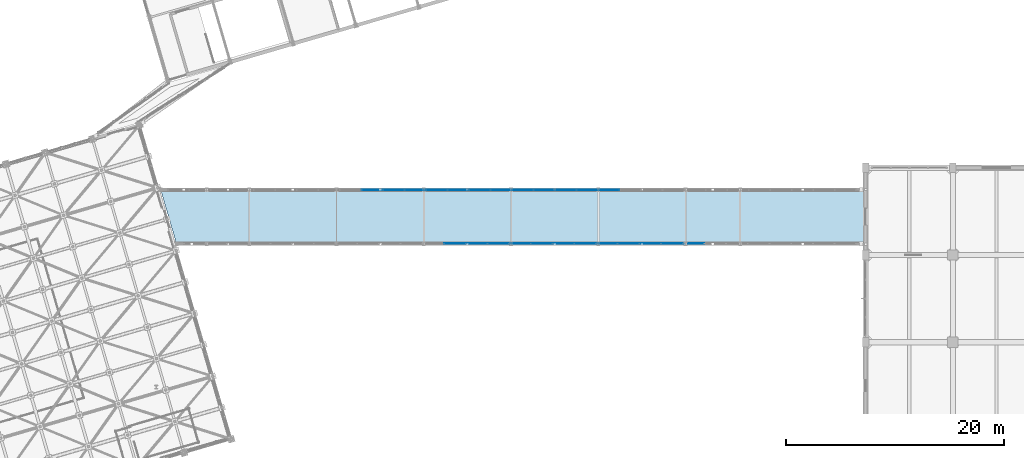
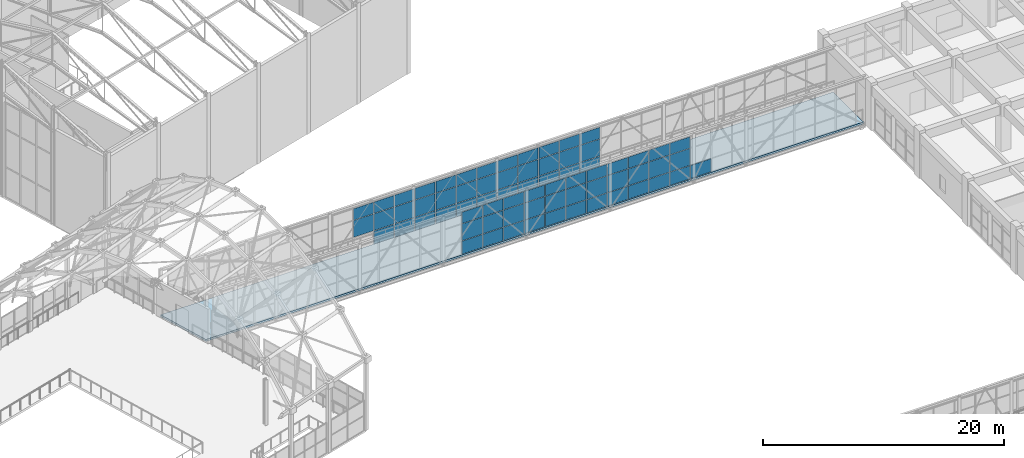
# One storey, part 210 of 248: 69 plates, 1 slab, 2 elements without a shape of their own.
"""IFC4 building model written with IfcOpenShell, lengths in metres."""

from ifc_helpers import new_model, si_unit, direction, frame, origin, origin_2d, place, context, subcontext, project, spatial, polyline, rectangle, outline, extrude, material, layer, layer_set, type_object, element, aggregate, save


model = new_model("IFC4")

# Units and contexts
model_context = context("Model", 3, precision=1e-05, world=origin(), true_north=direction((0.0, 1.0)))
body_context = subcontext(model_context, "Body", "Model", "MODEL_VIEW")
ifc_project = project(units=[si_unit("LENGTHUNIT", "METRE"), si_unit("AREAUNIT", "SQUARE_METRE"), si_unit("VOLUMEUNIT", "CUBIC_METRE"), si_unit("PLANEANGLEUNIT", "RADIAN"), si_unit("MASSUNIT", "GRAM", prefix="KILO")], contexts=[model_context])

# Site, building, storey
site_placement = place(None, origin())
site = spatial("IfcSite", under=ifc_project, at=site_placement, CompositionType="ELEMENT")
building_placement = place(site_placement, origin())
building = spatial("IfcBuilding", under=site, at=building_placement, Name="Canggui Botanical Conservatory", CompositionType="ELEMENT")
storey_placement = place(building_placement, frame((0.0, 0.0, 5.39990234375)))
storey = spatial("IfcBuildingStorey", under=building, at=storey_placement, Name="L02", CompositionType="ELEMENT", Elevation=5.39990234375)

# Curtain wall, plates
ifc_material_1 = material(Name="Thermally Broken Aluminium", Category="aluminium")
ifc_layer_1 = layer(ifc_material_1, 0.1201171875, Name="Thermally Broken Aluminium", Category="aluminium")
ifc_layer_set_1 = layer_set([ifc_layer_1], Name="Thermally Broken Aluminium")
curtain_wall_type = type_object("IfcCurtainWallType", Name="CW-STICK-B", PredefinedType="USERDEFINED", material=ifc_layer_set_1)
curtain_wall_1_placement = place(storey_placement, origin())
curtain_wall_1 = element("IfcCurtainWall", 1, at=curtain_wall_1_placement, inside=storey, type_object=curtain_wall_type, Name="Facade Curtain Wall CW-SB-04-1", ObjectType="STICK GLAZED WALL", PredefinedType="USERDEFINED")
ifc_material_2 = material(Name="Low-E Insulated Glass", Category="glass")
ifc_layer_2 = layer(ifc_material_2, 0.0419921875, Name="Low-E Insulated Glass", Category="glass")
ifc_layer_set_2 = layer_set([ifc_layer_2], Name="Low-E Insulated Glass")
plate_type = type_object("IfcPlateType", Name="CWP-05", PredefinedType="CURTAIN_PANEL", material=ifc_layer_set_2)
plate_1_placement = place(storey_placement, frame((92.346923828125, 75.0400390625, 0.044921875), z_axis=(0.0, 0.0, 1.0), x_axis=(1.0, 0.0, 0.0)))
plate_1 = element("IfcPlate", 2, at=plate_1_placement, type_object=plate_type, Name="CW-05 panel 13.1", PredefinedType="CURTAIN_PANEL", context=body_context, shape_type="SweptSolid", body=[
    extrude(rectangle(XDim=1.934326171875, YDim=0.0419921875, at=origin_2d()), origin(), (0.0, 0.0, 1.0), 1.324462890625),
])
plate_2_placement = place(storey_placement, frame((92.346923828125, 75.0400390625, 1.41455078125), z_axis=(0.0, 0.0, 1.0), x_axis=(1.0, 0.0, 0.0)))
plate_2 = element("IfcPlate", 3, at=plate_2_placement, type_object=plate_type, Name="CW-05 panel 13.2", PredefinedType="CURTAIN_PANEL", context=body_context, shape_type="SweptSolid", body=[
    extrude(rectangle(XDim=1.934326171875, YDim=0.0419921875, at=origin_2d()), origin(), (0.0, 0.0, 1.0), 1.695068359375),
])
plate_3_placement = place(storey_placement, frame((92.346923828125, 75.0400390625, 3.154541015625), z_axis=(0.0, 0.0, 1.0), x_axis=(1.0, 0.0, 0.0)))
plate_3 = element("IfcPlate", 4, at=plate_3_placement, type_object=plate_type, Name="CW-05 panel 13.3", PredefinedType="CURTAIN_PANEL", context=body_context, shape_type="SweptSolid", body=[
    extrude(rectangle(XDim=1.934326171875, YDim=0.0419921875, at=origin_2d()), origin(), (0.0, 0.0, 1.0), 1.150390625),
])
plate_4_placement = place(storey_placement, frame((94.336181640625, 75.0400390625, 0.044921875), z_axis=(0.0, 0.0, 1.0), x_axis=(1.0, 0.0, 0.0)))
plate_4 = element("IfcPlate", 5, at=plate_4_placement, type_object=plate_type, Name="CW-05 panel 14.1", PredefinedType="CURTAIN_PANEL", context=body_context, shape_type="SweptSolid", body=[
    extrude(rectangle(XDim=1.934326171875, YDim=0.0419921875, at=origin_2d()), origin(), (0.0, 0.0, 1.0), 1.324462890625),
])
plate_5_placement = place(storey_placement, frame((94.336181640625, 75.0400390625, 1.41455078125), z_axis=(0.0, 0.0, 1.0), x_axis=(1.0, 0.0, 0.0)))
plate_5 = element("IfcPlate", 6, at=plate_5_placement, type_object=plate_type, Name="CW-05 panel 14.2", PredefinedType="CURTAIN_PANEL", context=body_context, shape_type="SweptSolid", body=[
    extrude(rectangle(XDim=1.934326171875, YDim=0.0419921875, at=origin_2d()), origin(), (0.0, 0.0, 1.0), 1.695068359375),
])
plate_6_placement = place(storey_placement, frame((94.336181640625, 75.0400390625, 3.154541015625), z_axis=(0.0, 0.0, 1.0), x_axis=(1.0, 0.0, 0.0)))
plate_6 = element("IfcPlate", 7, at=plate_6_placement, type_object=plate_type, Name="CW-05 panel 14.3", PredefinedType="CURTAIN_PANEL", context=body_context, shape_type="SweptSolid", body=[
    extrude(rectangle(XDim=1.934326171875, YDim=0.0419921875, at=origin_2d()), origin(), (0.0, 0.0, 1.0), 1.150390625),
])
plate_7_placement = place(storey_placement, frame((96.32568359375, 75.0400390625, 0.044921875), z_axis=(0.0, 0.0, 1.0), x_axis=(1.0, 0.0, 0.0)))
plate_7 = element("IfcPlate", 8, at=plate_7_placement, type_object=plate_type, Name="CW-05 panel 15.1", PredefinedType="CURTAIN_PANEL", context=body_context, shape_type="SweptSolid", body=[
    extrude(rectangle(XDim=1.934326171875, YDim=0.0419921875, at=origin_2d()), origin(), (0.0, 0.0, 1.0), 1.324462890625),
])
plate_8_placement = place(storey_placement, frame((96.32568359375, 75.0400390625, 1.41455078125), z_axis=(0.0, 0.0, 1.0), x_axis=(1.0, 0.0, 0.0)))
plate_8 = element("IfcPlate", 9, at=plate_8_placement, type_object=plate_type, Name="CW-05 panel 15.2", PredefinedType="CURTAIN_PANEL", context=body_context, shape_type="SweptSolid", body=[
    extrude(rectangle(XDim=1.934326171875, YDim=0.0419921875, at=origin_2d()), origin(), (0.0, 0.0, 1.0), 1.695068359375),
])
plate_9_placement = place(storey_placement, frame((96.32568359375, 75.0400390625, 3.154541015625), z_axis=(0.0, 0.0, 1.0), x_axis=(1.0, 0.0, 0.0)))
plate_9 = element("IfcPlate", 10, at=plate_9_placement, type_object=plate_type, Name="CW-05 panel 15.3", PredefinedType="CURTAIN_PANEL", context=body_context, shape_type="SweptSolid", body=[
    extrude(rectangle(XDim=1.934326171875, YDim=0.0419921875, at=origin_2d()), origin(), (0.0, 0.0, 1.0), 1.150390625),
])
plate_10_placement = place(storey_placement, frame((98.31494140625, 75.0400390625, 0.044921875), z_axis=(0.0, 0.0, 1.0), x_axis=(1.0, 0.0, 0.0)))
plate_10 = element("IfcPlate", 11, at=plate_10_placement, type_object=plate_type, Name="CW-05 panel 16.1", PredefinedType="CURTAIN_PANEL", context=body_context, shape_type="SweptSolid", body=[
    extrude(rectangle(XDim=1.934326171875, YDim=0.0419921875, at=origin_2d()), origin(), (0.0, 0.0, 1.0), 1.324462890625),
])
plate_11_placement = place(storey_placement, frame((98.31494140625, 75.0400390625, 1.41455078125), z_axis=(0.0, 0.0, 1.0), x_axis=(1.0, 0.0, 0.0)))
plate_11 = element("IfcPlate", 12, at=plate_11_placement, type_object=plate_type, Name="CW-05 panel 16.2", PredefinedType="CURTAIN_PANEL", context=body_context, shape_type="SweptSolid", body=[
    extrude(rectangle(XDim=1.934326171875, YDim=0.0419921875, at=origin_2d()), origin(), (0.0, 0.0, 1.0), 1.695068359375),
])
plate_12_placement = place(storey_placement, frame((98.31494140625, 75.0400390625, 3.154541015625), z_axis=(0.0, 0.0, 1.0), x_axis=(1.0, 0.0, 0.0)))
plate_12 = element("IfcPlate", 13, at=plate_12_placement, type_object=plate_type, Name="CW-05 panel 16.3", PredefinedType="CURTAIN_PANEL", context=body_context, shape_type="SweptSolid", body=[
    extrude(rectangle(XDim=1.934326171875, YDim=0.0419921875, at=origin_2d()), origin(), (0.0, 0.0, 1.0), 1.150390625),
])
plate_13_placement = place(storey_placement, frame((100.304443359375, 75.0400390625, 0.044921875), z_axis=(0.0, 0.0, 1.0), x_axis=(1.0, 0.0, 0.0)))
plate_13 = element("IfcPlate", 14, at=plate_13_placement, type_object=plate_type, Name="CW-05 panel 17.1", PredefinedType="CURTAIN_PANEL", context=body_context, shape_type="SweptSolid", body=[
    extrude(rectangle(XDim=1.934326171875, YDim=0.0419921875, at=origin_2d()), origin(), (0.0, 0.0, 1.0), 1.324462890625),
])
plate_14_placement = place(storey_placement, frame((100.304443359375, 75.0400390625, 1.41455078125), z_axis=(0.0, 0.0, 1.0), x_axis=(1.0, 0.0, 0.0)))
plate_14 = element("IfcPlate", 15, at=plate_14_placement, type_object=plate_type, Name="CW-05 panel 17.2", PredefinedType="CURTAIN_PANEL", context=body_context, shape_type="SweptSolid", body=[
    extrude(rectangle(XDim=1.934326171875, YDim=0.0419921875, at=origin_2d()), origin(), (0.0, 0.0, 1.0), 1.695068359375),
])
plate_15_placement = place(storey_placement, frame((100.304443359375, 75.0400390625, 3.154541015625), z_axis=(0.0, 0.0, 1.0), x_axis=(1.0, 0.0, 0.0)))
plate_15 = element("IfcPlate", 16, at=plate_15_placement, type_object=plate_type, Name="CW-05 panel 17.3", PredefinedType="CURTAIN_PANEL", context=body_context, shape_type="SweptSolid", body=[
    extrude(rectangle(XDim=1.934326171875, YDim=0.0419921875, at=origin_2d()), origin(), (0.0, 0.0, 1.0), 1.150390625),
])
plate_16_placement = place(storey_placement, frame((102.293701171875, 75.0400390625, 0.044921875), z_axis=(0.0, 0.0, 1.0), x_axis=(1.0, 0.0, 0.0)))
plate_16 = element("IfcPlate", 17, at=plate_16_placement, type_object=plate_type, Name="CW-05 panel 18.1", PredefinedType="CURTAIN_PANEL", context=body_context, shape_type="SweptSolid", body=[
    extrude(rectangle(XDim=1.934326171875, YDim=0.0419921875, at=origin_2d()), origin(), (0.0, 0.0, 1.0), 1.324462890625),
])
plate_17_placement = place(storey_placement, frame((102.293701171875, 75.0400390625, 1.41455078125), z_axis=(0.0, 0.0, 1.0), x_axis=(1.0, 0.0, 0.0)))
plate_17 = element("IfcPlate", 18, at=plate_17_placement, type_object=plate_type, Name="CW-05 panel 18.2", PredefinedType="CURTAIN_PANEL", context=body_context, shape_type="SweptSolid", body=[
    extrude(rectangle(XDim=1.934326171875, YDim=0.0419921875, at=origin_2d()), origin(), (0.0, 0.0, 1.0), 1.695068359375),
])
plate_18_placement = place(storey_placement, frame((102.293701171875, 75.0400390625, 3.154541015625), z_axis=(0.0, 0.0, 1.0), x_axis=(1.0, 0.0, 0.0)))
plate_18 = element("IfcPlate", 19, at=plate_18_placement, type_object=plate_type, Name="CW-05 panel 18.3", PredefinedType="CURTAIN_PANEL", context=body_context, shape_type="SweptSolid", body=[
    extrude(rectangle(XDim=1.934326171875, YDim=0.0419921875, at=origin_2d()), origin(), (0.0, 0.0, 1.0), 1.150390625),
])
plate_19_placement = place(storey_placement, frame((104.282958984375, 75.0400390625, 0.044921875), z_axis=(0.0, 0.0, 1.0), x_axis=(1.0, 0.0, 0.0)))
plate_19 = element("IfcPlate", 20, at=plate_19_placement, type_object=plate_type, Name="CW-05 panel 19.1", PredefinedType="CURTAIN_PANEL", context=body_context, shape_type="SweptSolid", body=[
    extrude(rectangle(XDim=1.934326171875, YDim=0.0419921875, at=origin_2d()), origin(), (0.0, 0.0, 1.0), 1.324462890625),
])
plate_20_placement = place(storey_placement, frame((104.282958984375, 75.0400390625, 1.41455078125), z_axis=(0.0, 0.0, 1.0), x_axis=(1.0, 0.0, 0.0)))
plate_20 = element("IfcPlate", 21, at=plate_20_placement, type_object=plate_type, Name="CW-05 panel 19.2", PredefinedType="CURTAIN_PANEL", context=body_context, shape_type="SweptSolid", body=[
    extrude(rectangle(XDim=1.934326171875, YDim=0.0419921875, at=origin_2d()), origin(), (0.0, 0.0, 1.0), 1.695068359375),
])
plate_21_placement = place(storey_placement, frame((104.282958984375, 75.0400390625, 3.154541015625), z_axis=(0.0, 0.0, 1.0), x_axis=(1.0, 0.0, 0.0)))
plate_21 = element("IfcPlate", 22, at=plate_21_placement, type_object=plate_type, Name="CW-05 panel 19.3", PredefinedType="CURTAIN_PANEL", context=body_context, shape_type="SweptSolid", body=[
    extrude(rectangle(XDim=1.934326171875, YDim=0.0419921875, at=origin_2d()), origin(), (0.0, 0.0, 1.0), 1.150390625),
])
plate_22_placement = place(storey_placement, frame((106.2724609375, 75.0400390625, 0.044921875), z_axis=(0.0, 0.0, 1.0), x_axis=(1.0, 0.0, 0.0)))
plate_22 = element("IfcPlate", 23, at=plate_22_placement, type_object=plate_type, Name="CW-05 panel 20.1", PredefinedType="CURTAIN_PANEL", context=body_context, shape_type="SweptSolid", body=[
    extrude(rectangle(XDim=1.934326171875, YDim=0.0419921875, at=origin_2d()), origin(), (0.0, 0.0, 1.0), 1.324462890625),
])
plate_23_placement = place(storey_placement, frame((106.2724609375, 75.0400390625, 1.41455078125), z_axis=(0.0, 0.0, 1.0), x_axis=(1.0, 0.0, 0.0)))
plate_23 = element("IfcPlate", 24, at=plate_23_placement, type_object=plate_type, Name="CW-05 panel 20.2", PredefinedType="CURTAIN_PANEL", context=body_context, shape_type="SweptSolid", body=[
    extrude(rectangle(XDim=1.934326171875, YDim=0.0419921875, at=origin_2d()), origin(), (0.0, 0.0, 1.0), 1.695068359375),
])
plate_24_placement = place(storey_placement, frame((106.2724609375, 75.0400390625, 3.154541015625), z_axis=(0.0, 0.0, 1.0), x_axis=(1.0, 0.0, 0.0)))
plate_24 = element("IfcPlate", 25, at=plate_24_placement, type_object=plate_type, Name="CW-05 panel 20.3", PredefinedType="CURTAIN_PANEL", context=body_context, shape_type="SweptSolid", body=[
    extrude(rectangle(XDim=1.934326171875, YDim=0.0419921875, at=origin_2d()), origin(), (0.0, 0.0, 1.0), 1.150390625),
])
plate_25_placement = place(storey_placement, frame((108.26171875, 75.0400390625, 0.044921875), z_axis=(0.0, 0.0, 1.0), x_axis=(1.0, 0.0, 0.0)))
plate_25 = element("IfcPlate", 26, at=plate_25_placement, type_object=plate_type, Name="CW-05 panel 21.1", PredefinedType="CURTAIN_PANEL", context=body_context, shape_type="SweptSolid", body=[
    extrude(rectangle(XDim=1.934326171875, YDim=0.0419921875, at=origin_2d()), origin(), (0.0, 0.0, 1.0), 1.324462890625),
])
plate_26_placement = place(storey_placement, frame((108.26171875, 75.0400390625, 1.41455078125), z_axis=(0.0, 0.0, 1.0), x_axis=(1.0, 0.0, 0.0)))
plate_26 = element("IfcPlate", 27, at=plate_26_placement, type_object=plate_type, Name="CW-05 panel 21.2", PredefinedType="CURTAIN_PANEL", context=body_context, shape_type="SweptSolid", body=[
    extrude(rectangle(XDim=1.934326171875, YDim=0.0419921875, at=origin_2d()), origin(), (0.0, 0.0, 1.0), 1.695068359375),
])
plate_27_placement = place(storey_placement, frame((108.26171875, 75.0400390625, 3.154541015625), z_axis=(0.0, 0.0, 1.0), x_axis=(1.0, 0.0, 0.0)))
plate_27 = element("IfcPlate", 28, at=plate_27_placement, type_object=plate_type, Name="CW-05 panel 21.3", PredefinedType="CURTAIN_PANEL", context=body_context, shape_type="SweptSolid", body=[
    extrude(rectangle(XDim=1.934326171875, YDim=0.0419921875, at=origin_2d()), origin(), (0.0, 0.0, 1.0), 1.150390625),
])
plate_28_placement = place(storey_placement, frame((110.251220703125, 75.0400390625, 0.044921875), z_axis=(0.0, 0.0, 1.0), x_axis=(1.0, 0.0, 0.0)))
plate_28 = element("IfcPlate", 29, at=plate_28_placement, type_object=plate_type, Name="CW-05 panel 22.1", PredefinedType="CURTAIN_PANEL", context=body_context, shape_type="SweptSolid", body=[
    extrude(rectangle(XDim=1.934326171875, YDim=0.0419921875, at=origin_2d()), origin(), (0.0, 0.0, 1.0), 1.324462890625),
])
plate_29_placement = place(storey_placement, frame((110.251220703125, 75.0400390625, 1.41455078125), z_axis=(0.0, 0.0, 1.0), x_axis=(1.0, 0.0, 0.0)))
plate_29 = element("IfcPlate", 30, at=plate_29_placement, type_object=plate_type, Name="CW-05 panel 22.2", PredefinedType="CURTAIN_PANEL", context=body_context, shape_type="SweptSolid", body=[
    extrude(rectangle(XDim=1.934326171875, YDim=0.0419921875, at=origin_2d()), origin(), (0.0, 0.0, 1.0), 1.695068359375),
])
plate_30_placement = place(storey_placement, frame((110.251220703125, 75.0400390625, 3.154541015625), z_axis=(0.0, 0.0, 1.0), x_axis=(1.0, 0.0, 0.0)))
plate_30 = element("IfcPlate", 31, at=plate_30_placement, type_object=plate_type, Name="CW-05 panel 22.3", PredefinedType="CURTAIN_PANEL", context=body_context, shape_type="SweptSolid", body=[
    extrude(rectangle(XDim=1.934326171875, YDim=0.0419921875, at=origin_2d()), origin(), (0.0, 0.0, 1.0), 1.150390625),
])
plate_31_placement = place(storey_placement, frame((112.240478515625, 75.0400390625, 0.044921875), z_axis=(0.0, 0.0, 1.0), x_axis=(1.0, 0.0, 0.0)))
plate_31 = element("IfcPlate", 32, at=plate_31_placement, type_object=plate_type, Name="CW-05 panel 23.1", PredefinedType="CURTAIN_PANEL", context=body_context, shape_type="SweptSolid", body=[
    extrude(rectangle(XDim=1.934326171875, YDim=0.0419921875, at=origin_2d()), origin(), (0.0, 0.0, 1.0), 1.324462890625),
])
plate_32_placement = place(storey_placement, frame((112.240478515625, 75.0400390625, 1.41455078125), z_axis=(0.0, 0.0, 1.0), x_axis=(1.0, 0.0, 0.0)))
plate_32 = element("IfcPlate", 33, at=plate_32_placement, type_object=plate_type, Name="CW-05 panel 23.2", PredefinedType="CURTAIN_PANEL", context=body_context, shape_type="SweptSolid", body=[
    extrude(rectangle(XDim=1.934326171875, YDim=0.0419921875, at=origin_2d()), origin(), (0.0, 0.0, 1.0), 1.695068359375),
])
plate_33_placement = place(storey_placement, frame((112.240478515625, 75.0400390625, 3.154541015625), z_axis=(0.0, 0.0, 1.0), x_axis=(1.0, 0.0, 0.0)))
plate_33 = element("IfcPlate", 34, at=plate_33_placement, type_object=plate_type, Name="CW-05 panel 23.3", PredefinedType="CURTAIN_PANEL", context=body_context, shape_type="SweptSolid", body=[
    extrude(rectangle(XDim=1.934326171875, YDim=0.0419921875, at=origin_2d()), origin(), (0.0, 0.0, 1.0), 1.150390625),
])
plate_34_placement = place(storey_placement, frame((114.229736328125, 75.0400390625, 0.044921875), z_axis=(0.0, 0.0, 1.0), x_axis=(1.0, 0.0, 0.0)))
plate_34 = element("IfcPlate", 35, at=plate_34_placement, type_object=plate_type, Name="CW-05 panel 24.1", PredefinedType="CURTAIN_PANEL", context=body_context, shape_type="SweptSolid", body=[
    extrude(rectangle(XDim=1.934326171875, YDim=0.0419921875, at=origin_2d()), origin(), (0.0, 0.0, 1.0), 1.324462890625),
])
aggregate(curtain_wall_1, [plate_1, plate_2, plate_3, plate_4, plate_5, plate_6, plate_7, plate_8, plate_9, plate_10, plate_11, plate_12, plate_13, plate_14, plate_15, plate_16, plate_17, plate_18, plate_19, plate_20, plate_21, plate_22, plate_23, plate_24, plate_25, plate_26, plate_27, plate_28, plate_29, plate_30, plate_31, plate_32, plate_33, plate_34])

curtain_wall_2_placement = place(storey_placement, origin())
curtain_wall_2 = element("IfcCurtainWall", 36, at=curtain_wall_2_placement, inside=storey, type_object=curtain_wall_type, Name="Facade Curtain Wall CW-SB-04-2", ObjectType="STICK GLAZED WALL", PredefinedType="USERDEFINED")
plate_35_placement = place(storey_placement, frame((84.76171875, 79.9599609375, 1.41455078125), z_axis=(0.0, 0.0, 1.0), x_axis=(1.0, 0.0, 0.0)))
plate_35 = element("IfcPlate", 37, at=plate_35_placement, type_object=plate_type, Name="CW-05 panel 10.2", PredefinedType="CURTAIN_PANEL", context=body_context, shape_type="SweptSolid", body=[
    extrude(rectangle(XDim=1.917724609375, YDim=0.0419921875, at=origin_2d()), origin(), (0.0, 0.0, 1.0), 1.695068359375),
])
plate_36_placement = place(storey_placement, frame((84.76171875, 79.9599609375, 3.154541015625), z_axis=(0.0, 0.0, 1.0), x_axis=(1.0, 0.0, 0.0)))
plate_36 = element("IfcPlate", 38, at=plate_36_placement, type_object=plate_type, Name="CW-05 panel 10.3", PredefinedType="CURTAIN_PANEL", context=body_context, shape_type="SweptSolid", body=[
    extrude(rectangle(XDim=1.917724609375, YDim=0.0419921875, at=origin_2d()), origin(), (0.0, 0.0, 1.0), 1.150390625),
])
plate_37_placement = place(storey_placement, frame((86.734619140625, 79.9599609375, 0.044921875), z_axis=(0.0, 0.0, 1.0), x_axis=(1.0, 0.0, 0.0)))
plate_37 = element("IfcPlate", 39, at=plate_37_placement, type_object=plate_type, Name="CW-05 panel 11.1", PredefinedType="CURTAIN_PANEL", context=body_context, shape_type="SweptSolid", body=[
    extrude(rectangle(XDim=1.917724609375, YDim=0.0419921875, at=origin_2d()), origin(), (0.0, 0.0, 1.0), 1.324462890625),
])
plate_38_placement = place(storey_placement, frame((86.734619140625, 79.9599609375, 1.41455078125), z_axis=(0.0, 0.0, 1.0), x_axis=(1.0, 0.0, 0.0)))
plate_38 = element("IfcPlate", 40, at=plate_38_placement, type_object=plate_type, Name="CW-05 panel 11.2", PredefinedType="CURTAIN_PANEL", context=body_context, shape_type="SweptSolid", body=[
    extrude(rectangle(XDim=1.917724609375, YDim=0.0419921875, at=origin_2d()), origin(), (0.0, 0.0, 1.0), 1.695068359375),
])
plate_39_placement = place(storey_placement, frame((86.734619140625, 79.9599609375, 3.154541015625), z_axis=(0.0, 0.0, 1.0), x_axis=(1.0, 0.0, 0.0)))
plate_39 = element("IfcPlate", 41, at=plate_39_placement, type_object=plate_type, Name="CW-05 panel 11.3", PredefinedType="CURTAIN_PANEL", context=body_context, shape_type="SweptSolid", body=[
    extrude(rectangle(XDim=1.917724609375, YDim=0.0419921875, at=origin_2d()), origin(), (0.0, 0.0, 1.0), 1.150390625),
])
plate_40_placement = place(storey_placement, frame((88.707275390625, 79.9599609375, 0.044921875), z_axis=(0.0, 0.0, 1.0), x_axis=(1.0, 0.0, 0.0)))
plate_40 = element("IfcPlate", 42, at=plate_40_placement, type_object=plate_type, Name="CW-05 panel 12.1", PredefinedType="CURTAIN_PANEL", context=body_context, shape_type="SweptSolid", body=[
    extrude(rectangle(XDim=1.917724609375, YDim=0.0419921875, at=origin_2d()), origin(), (0.0, 0.0, 1.0), 1.324462890625),
])
plate_41_placement = place(storey_placement, frame((88.707275390625, 79.9599609375, 1.41455078125), z_axis=(0.0, 0.0, 1.0), x_axis=(1.0, 0.0, 0.0)))
plate_41 = element("IfcPlate", 43, at=plate_41_placement, type_object=plate_type, Name="CW-05 panel 12.2", PredefinedType="CURTAIN_PANEL", context=body_context, shape_type="SweptSolid", body=[
    extrude(rectangle(XDim=1.917724609375, YDim=0.0419921875, at=origin_2d()), origin(), (0.0, 0.0, 1.0), 1.695068359375),
])
plate_42_placement = place(storey_placement, frame((88.707275390625, 79.9599609375, 3.154541015625), z_axis=(0.0, 0.0, 1.0), x_axis=(1.0, 0.0, 0.0)))
plate_42 = element("IfcPlate", 44, at=plate_42_placement, type_object=plate_type, Name="CW-05 panel 12.3", PredefinedType="CURTAIN_PANEL", context=body_context, shape_type="SweptSolid", body=[
    extrude(rectangle(XDim=1.917724609375, YDim=0.0419921875, at=origin_2d()), origin(), (0.0, 0.0, 1.0), 1.150390625),
])
plate_43_placement = place(storey_placement, frame((90.68017578125, 79.9599609375, 0.044921875), z_axis=(0.0, 0.0, 1.0), x_axis=(1.0, 0.0, 0.0)))
plate_43 = element("IfcPlate", 45, at=plate_43_placement, type_object=plate_type, Name="CW-05 panel 13.1", PredefinedType="CURTAIN_PANEL", context=body_context, shape_type="SweptSolid", body=[
    extrude(rectangle(XDim=1.917724609375, YDim=0.0419921875, at=origin_2d()), origin(), (0.0, 0.0, 1.0), 1.324462890625),
])
plate_44_placement = place(storey_placement, frame((90.68017578125, 79.9599609375, 1.41455078125), z_axis=(0.0, 0.0, 1.0), x_axis=(1.0, 0.0, 0.0)))
plate_44 = element("IfcPlate", 46, at=plate_44_placement, type_object=plate_type, Name="CW-05 panel 13.2", PredefinedType="CURTAIN_PANEL", context=body_context, shape_type="SweptSolid", body=[
    extrude(rectangle(XDim=1.917724609375, YDim=0.0419921875, at=origin_2d()), origin(), (0.0, 0.0, 1.0), 1.695068359375),
])
plate_45_placement = place(storey_placement, frame((90.68017578125, 79.9599609375, 3.154541015625), z_axis=(0.0, 0.0, 1.0), x_axis=(1.0, 0.0, 0.0)))
plate_45 = element("IfcPlate", 47, at=plate_45_placement, type_object=plate_type, Name="CW-05 panel 13.3", PredefinedType="CURTAIN_PANEL", context=body_context, shape_type="SweptSolid", body=[
    extrude(rectangle(XDim=1.917724609375, YDim=0.0419921875, at=origin_2d()), origin(), (0.0, 0.0, 1.0), 1.150390625),
])
plate_46_placement = place(storey_placement, frame((92.653076171875, 79.9599609375, 0.044921875), z_axis=(0.0, 0.0, 1.0), x_axis=(1.0, 0.0, 0.0)))
plate_46 = element("IfcPlate", 48, at=plate_46_placement, type_object=plate_type, Name="CW-05 panel 14.1", PredefinedType="CURTAIN_PANEL", context=body_context, shape_type="SweptSolid", body=[
    extrude(rectangle(XDim=1.917724609375, YDim=0.0419921875, at=origin_2d()), origin(), (0.0, 0.0, 1.0), 1.324462890625),
])
plate_47_placement = place(storey_placement, frame((92.653076171875, 79.9599609375, 1.41455078125), z_axis=(0.0, 0.0, 1.0), x_axis=(1.0, 0.0, 0.0)))
plate_47 = element("IfcPlate", 49, at=plate_47_placement, type_object=plate_type, Name="CW-05 panel 14.2", PredefinedType="CURTAIN_PANEL", context=body_context, shape_type="SweptSolid", body=[
    extrude(rectangle(XDim=1.917724609375, YDim=0.0419921875, at=origin_2d()), origin(), (0.0, 0.0, 1.0), 1.695068359375),
])
plate_48_placement = place(storey_placement, frame((92.653076171875, 79.9599609375, 3.154541015625), z_axis=(0.0, 0.0, 1.0), x_axis=(1.0, 0.0, 0.0)))
plate_48 = element("IfcPlate", 50, at=plate_48_placement, type_object=plate_type, Name="CW-05 panel 14.3", PredefinedType="CURTAIN_PANEL", context=body_context, shape_type="SweptSolid", body=[
    extrude(rectangle(XDim=1.917724609375, YDim=0.0419921875, at=origin_2d()), origin(), (0.0, 0.0, 1.0), 1.150390625),
])
plate_49_placement = place(storey_placement, frame((94.625732421875, 79.9599609375, 0.044921875), z_axis=(0.0, 0.0, 1.0), x_axis=(1.0, 0.0, 0.0)))
plate_49 = element("IfcPlate", 51, at=plate_49_placement, type_object=plate_type, Name="CW-05 panel 15.1", PredefinedType="CURTAIN_PANEL", context=body_context, shape_type="SweptSolid", body=[
    extrude(rectangle(XDim=1.917724609375, YDim=0.0419921875, at=origin_2d()), origin(), (0.0, 0.0, 1.0), 1.324462890625),
])
plate_50_placement = place(storey_placement, frame((94.625732421875, 79.9599609375, 1.41455078125), z_axis=(0.0, 0.0, 1.0), x_axis=(1.0, 0.0, 0.0)))
plate_50 = element("IfcPlate", 52, at=plate_50_placement, type_object=plate_type, Name="CW-05 panel 15.2", PredefinedType="CURTAIN_PANEL", context=body_context, shape_type="SweptSolid", body=[
    extrude(rectangle(XDim=1.917724609375, YDim=0.0419921875, at=origin_2d()), origin(), (0.0, 0.0, 1.0), 1.695068359375),
])
plate_51_placement = place(storey_placement, frame((94.625732421875, 79.9599609375, 3.154541015625), z_axis=(0.0, 0.0, 1.0), x_axis=(1.0, 0.0, 0.0)))
plate_51 = element("IfcPlate", 53, at=plate_51_placement, type_object=plate_type, Name="CW-05 panel 15.3", PredefinedType="CURTAIN_PANEL", context=body_context, shape_type="SweptSolid", body=[
    extrude(rectangle(XDim=1.917724609375, YDim=0.0419921875, at=origin_2d()), origin(), (0.0, 0.0, 1.0), 1.150390625),
])
plate_52_placement = place(storey_placement, frame((96.5986328125, 79.9599609375, 0.044921875), z_axis=(0.0, 0.0, 1.0), x_axis=(1.0, 0.0, 0.0)))
plate_52 = element("IfcPlate", 54, at=plate_52_placement, type_object=plate_type, Name="CW-05 panel 16.1", PredefinedType="CURTAIN_PANEL", context=body_context, shape_type="SweptSolid", body=[
    extrude(rectangle(XDim=1.917724609375, YDim=0.0419921875, at=origin_2d()), origin(), (0.0, 0.0, 1.0), 1.324462890625),
])
plate_53_placement = place(storey_placement, frame((96.5986328125, 79.9599609375, 1.41455078125), z_axis=(0.0, 0.0, 1.0), x_axis=(1.0, 0.0, 0.0)))
plate_53 = element("IfcPlate", 55, at=plate_53_placement, type_object=plate_type, Name="CW-05 panel 16.2", PredefinedType="CURTAIN_PANEL", context=body_context, shape_type="SweptSolid", body=[
    extrude(rectangle(XDim=1.917724609375, YDim=0.0419921875, at=origin_2d()), origin(), (0.0, 0.0, 1.0), 1.695068359375),
])
plate_54_placement = place(storey_placement, frame((96.5986328125, 79.9599609375, 3.154541015625), z_axis=(0.0, 0.0, 1.0), x_axis=(1.0, 0.0, 0.0)))
plate_54 = element("IfcPlate", 56, at=plate_54_placement, type_object=plate_type, Name="CW-05 panel 16.3", PredefinedType="CURTAIN_PANEL", context=body_context, shape_type="SweptSolid", body=[
    extrude(rectangle(XDim=1.917724609375, YDim=0.0419921875, at=origin_2d()), origin(), (0.0, 0.0, 1.0), 1.150390625),
])
plate_55_placement = place(storey_placement, frame((98.5712890625, 79.9599609375, 0.044921875), z_axis=(0.0, 0.0, 1.0), x_axis=(1.0, 0.0, 0.0)))
plate_55 = element("IfcPlate", 57, at=plate_55_placement, type_object=plate_type, Name="CW-05 panel 17.1", PredefinedType="CURTAIN_PANEL", context=body_context, shape_type="SweptSolid", body=[
    extrude(rectangle(XDim=1.917724609375, YDim=0.0419921875, at=origin_2d()), origin(), (0.0, 0.0, 1.0), 1.324462890625),
])
plate_56_placement = place(storey_placement, frame((98.5712890625, 79.9599609375, 1.41455078125), z_axis=(0.0, 0.0, 1.0), x_axis=(1.0, 0.0, 0.0)))
plate_56 = element("IfcPlate", 58, at=plate_56_placement, type_object=plate_type, Name="CW-05 panel 17.2", PredefinedType="CURTAIN_PANEL", context=body_context, shape_type="SweptSolid", body=[
    extrude(rectangle(XDim=1.917724609375, YDim=0.0419921875, at=origin_2d()), origin(), (0.0, 0.0, 1.0), 1.695068359375),
])
plate_57_placement = place(storey_placement, frame((98.5712890625, 79.9599609375, 3.154541015625), z_axis=(0.0, 0.0, 1.0), x_axis=(1.0, 0.0, 0.0)))
plate_57 = element("IfcPlate", 59, at=plate_57_placement, type_object=plate_type, Name="CW-05 panel 17.3", PredefinedType="CURTAIN_PANEL", context=body_context, shape_type="SweptSolid", body=[
    extrude(rectangle(XDim=1.917724609375, YDim=0.0419921875, at=origin_2d()), origin(), (0.0, 0.0, 1.0), 1.150390625),
])
plate_58_placement = place(storey_placement, frame((100.544189453125, 79.9599609375, 0.044921875), z_axis=(0.0, 0.0, 1.0), x_axis=(1.0, 0.0, 0.0)))
plate_58 = element("IfcPlate", 60, at=plate_58_placement, type_object=plate_type, Name="CW-05 panel 18.1", PredefinedType="CURTAIN_PANEL", context=body_context, shape_type="SweptSolid", body=[
    extrude(rectangle(XDim=1.917724609375, YDim=0.0419921875, at=origin_2d()), origin(), (0.0, 0.0, 1.0), 1.324462890625),
])
plate_59_placement = place(storey_placement, frame((100.544189453125, 79.9599609375, 1.41455078125), z_axis=(0.0, 0.0, 1.0), x_axis=(1.0, 0.0, 0.0)))
plate_59 = element("IfcPlate", 61, at=plate_59_placement, type_object=plate_type, Name="CW-05 panel 18.2", PredefinedType="CURTAIN_PANEL", context=body_context, shape_type="SweptSolid", body=[
    extrude(rectangle(XDim=1.917724609375, YDim=0.0419921875, at=origin_2d()), origin(), (0.0, 0.0, 1.0), 1.695068359375),
])
plate_60_placement = place(storey_placement, frame((100.544189453125, 79.9599609375, 3.154541015625), z_axis=(0.0, 0.0, 1.0), x_axis=(1.0, 0.0, 0.0)))
plate_60 = element("IfcPlate", 62, at=plate_60_placement, type_object=plate_type, Name="CW-05 panel 18.3", PredefinedType="CURTAIN_PANEL", context=body_context, shape_type="SweptSolid", body=[
    extrude(rectangle(XDim=1.917724609375, YDim=0.0419921875, at=origin_2d()), origin(), (0.0, 0.0, 1.0), 1.150390625),
])
plate_61_placement = place(storey_placement, frame((102.51708984375, 79.9599609375, 0.044921875), z_axis=(0.0, 0.0, 1.0), x_axis=(1.0, 0.0, 0.0)))
plate_61 = element("IfcPlate", 63, at=plate_61_placement, type_object=plate_type, Name="CW-05 panel 19.1", PredefinedType="CURTAIN_PANEL", context=body_context, shape_type="SweptSolid", body=[
    extrude(rectangle(XDim=1.917724609375, YDim=0.0419921875, at=origin_2d()), origin(), (0.0, 0.0, 1.0), 1.324462890625),
])
plate_62_placement = place(storey_placement, frame((102.51708984375, 79.9599609375, 1.41455078125), z_axis=(0.0, 0.0, 1.0), x_axis=(1.0, 0.0, 0.0)))
plate_62 = element("IfcPlate", 64, at=plate_62_placement, type_object=plate_type, Name="CW-05 panel 19.2", PredefinedType="CURTAIN_PANEL", context=body_context, shape_type="SweptSolid", body=[
    extrude(rectangle(XDim=1.917724609375, YDim=0.0419921875, at=origin_2d()), origin(), (0.0, 0.0, 1.0), 1.695068359375),
])
plate_63_placement = place(storey_placement, frame((102.51708984375, 79.9599609375, 3.154541015625), z_axis=(0.0, 0.0, 1.0), x_axis=(1.0, 0.0, 0.0)))
plate_63 = element("IfcPlate", 65, at=plate_63_placement, type_object=plate_type, Name="CW-05 panel 19.3", PredefinedType="CURTAIN_PANEL", context=body_context, shape_type="SweptSolid", body=[
    extrude(rectangle(XDim=1.917724609375, YDim=0.0419921875, at=origin_2d()), origin(), (0.0, 0.0, 1.0), 1.150390625),
])
plate_64_placement = place(storey_placement, frame((104.48974609375, 79.9599609375, 0.044921875), z_axis=(0.0, 0.0, 1.0), x_axis=(1.0, 0.0, 0.0)))
plate_64 = element("IfcPlate", 66, at=plate_64_placement, type_object=plate_type, Name="CW-05 panel 20.1", PredefinedType="CURTAIN_PANEL", context=body_context, shape_type="SweptSolid", body=[
    extrude(rectangle(XDim=1.917724609375, YDim=0.0419921875, at=origin_2d()), origin(), (0.0, 0.0, 1.0), 1.324462890625),
])
plate_65_placement = place(storey_placement, frame((104.48974609375, 79.9599609375, 1.41455078125), z_axis=(0.0, 0.0, 1.0), x_axis=(1.0, 0.0, 0.0)))
plate_65 = element("IfcPlate", 67, at=plate_65_placement, type_object=plate_type, Name="CW-05 panel 20.2", PredefinedType="CURTAIN_PANEL", context=body_context, shape_type="SweptSolid", body=[
    extrude(rectangle(XDim=1.917724609375, YDim=0.0419921875, at=origin_2d()), origin(), (0.0, 0.0, 1.0), 1.695068359375),
])
plate_66_placement = place(storey_placement, frame((104.48974609375, 79.9599609375, 3.154541015625), z_axis=(0.0, 0.0, 1.0), x_axis=(1.0, 0.0, 0.0)))
plate_66 = element("IfcPlate", 68, at=plate_66_placement, type_object=plate_type, Name="CW-05 panel 20.3", PredefinedType="CURTAIN_PANEL", context=body_context, shape_type="SweptSolid", body=[
    extrude(rectangle(XDim=1.917724609375, YDim=0.0419921875, at=origin_2d()), origin(), (0.0, 0.0, 1.0), 1.150390625),
])
plate_67_placement = place(storey_placement, frame((106.462646484375, 79.9599609375, 0.044921875), z_axis=(0.0, 0.0, 1.0), x_axis=(1.0, 0.0, 0.0)))
plate_67 = element("IfcPlate", 69, at=plate_67_placement, type_object=plate_type, Name="CW-05 panel 21.1", PredefinedType="CURTAIN_PANEL", context=body_context, shape_type="SweptSolid", body=[
    extrude(rectangle(XDim=1.917724609375, YDim=0.0419921875, at=origin_2d()), origin(), (0.0, 0.0, 1.0), 1.324462890625),
])
plate_68_placement = place(storey_placement, frame((106.462646484375, 79.9599609375, 1.41455078125), z_axis=(0.0, 0.0, 1.0), x_axis=(1.0, 0.0, 0.0)))
plate_68 = element("IfcPlate", 70, at=plate_68_placement, type_object=plate_type, Name="CW-05 panel 21.2", PredefinedType="CURTAIN_PANEL", context=body_context, shape_type="SweptSolid", body=[
    extrude(rectangle(XDim=1.917724609375, YDim=0.0419921875, at=origin_2d()), origin(), (0.0, 0.0, 1.0), 1.695068359375),
])
plate_69_placement = place(storey_placement, frame((106.462646484375, 79.9599609375, 3.154541015625), z_axis=(0.0, 0.0, 1.0), x_axis=(1.0, 0.0, 0.0)))
plate_69 = element("IfcPlate", 71, at=plate_69_placement, type_object=plate_type, Name="CW-05 panel 21.3", PredefinedType="CURTAIN_PANEL", context=body_context, shape_type="SweptSolid", body=[
    extrude(rectangle(XDim=1.917724609375, YDim=0.0419921875, at=origin_2d()), origin(), (0.0, 0.0, 1.0), 1.150390625),
])
aggregate(curtain_wall_2, [plate_35, plate_36, plate_37, plate_38, plate_39, plate_40, plate_41, plate_42, plate_43, plate_44, plate_45, plate_46, plate_47, plate_48, plate_49, plate_50, plate_51, plate_52, plate_53, plate_54, plate_55, plate_56, plate_57, plate_58, plate_59, plate_60, plate_61, plate_62, plate_63, plate_64, plate_65, plate_66, plate_67, plate_68, plate_69])

# Slab
ifc_material_3 = material(Name="Concrete C35", Category="concrete")
ifc_layer_3 = layer(ifc_material_3, 0.199951171875, Name="Concrete C35", Category="concrete")
ifc_layer_set_3 = layer_set([ifc_layer_3], Name="Concrete C35")
slab_type = type_object("IfcSlabType", Name="SLAB-F200", PredefinedType="FLOOR", material=ifc_layer_set_3)
slab_placement = place(storey_placement, frame((0.0, 0.0, -0.199951171875)))
element("IfcSlab", 72, at=slab_placement, inside=storey, type_object=slab_type, Name="North Court Covered Skybridge SB-04 Covered Park Colonnade Terrace Slab", PredefinedType="FLOOR", context=body_context, shape_type="SweptSolid", body=[
    extrude(outline(polyline([(66.830078125, 75.0), (129.800048828125, 75.0), (129.800048828125, 80.0), (65.3701171875, 80.0), (66.830078125, 75.0)])), origin(), (0.0, 0.0, 1.0), 0.199951171875),
])

save(model, "model.ifc")
